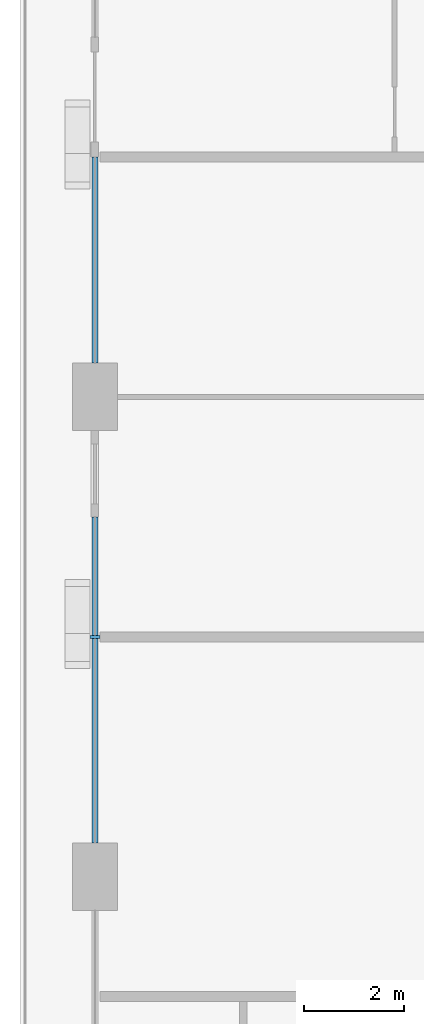
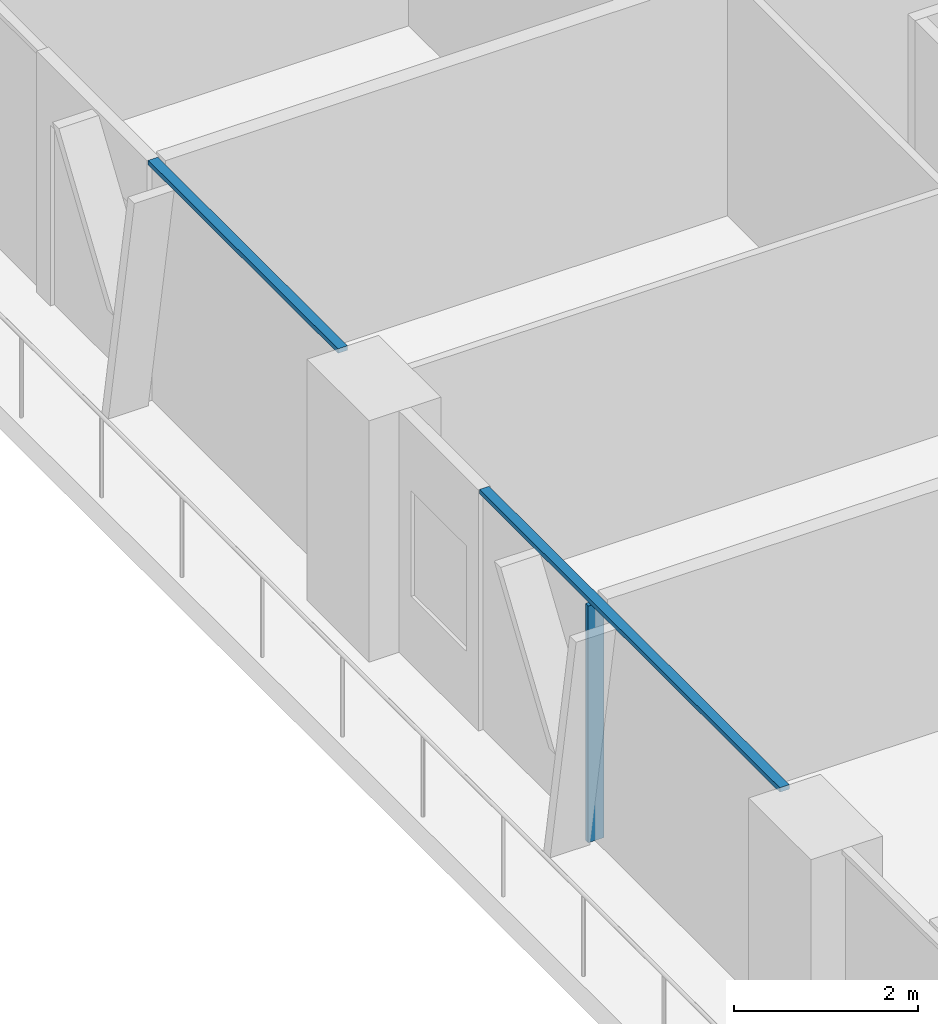
# One storey, part 3 of 21: 3 members, 2 elements without a shape of their own.
"""IFC4 building model written with IfcOpenShell, lengths in metres."""

from ifc_helpers import new_model, si_unit, direction, frame, origin, origin_2d, place, context, subcontext, project, spatial, rectangle, extrude, material, layer, layer_set, material_profile, profile_set, type_object, element, aggregate, save


model = new_model("IFC4")

# Units and contexts
model_context = context("Model", 3, precision=1e-05, world=origin(), true_north=direction((0.0, 1.0)))
body_context = subcontext(model_context, "Body", "Model", "MODEL_VIEW")
ifc_project = project(units=[si_unit("LENGTHUNIT", "METRE"), si_unit("AREAUNIT", "SQUARE_METRE"), si_unit("VOLUMEUNIT", "CUBIC_METRE"), si_unit("PLANEANGLEUNIT", "RADIAN"), si_unit("MASSUNIT", "GRAM", prefix="KILO")], contexts=[model_context])

# Site, building, storey
site_placement = place(None, origin())
site = spatial("IfcSite", under=ifc_project, at=site_placement, CompositionType="ELEMENT")
building_placement = place(site_placement, origin())
building = spatial("IfcBuilding", under=site, at=building_placement, Name="Madar Terraces", CompositionType="ELEMENT")
storey_placement = place(building_placement, frame((0.0, 0.0, 43.39990234375)))
storey = spatial("IfcBuildingStorey", under=building, at=storey_placement, Name="L10", CompositionType="ELEMENT", Elevation=43.39990234375)

# Curtain wall, member
ifc_material_1 = material(Name="Glass, ceramic frit dark grey, with black aluminium frame", Category="aluminium")
ifc_layer = layer(ifc_material_1, 0.199951171875)
ifc_layer_set = layer_set([ifc_layer], Name="Facade curtain wall, fritted glass")
curtain_wall_type = type_object("IfcCurtainWallType", Name="Facade curtain wall, fritted glass", PredefinedType="NOTDEFINED", material=ifc_layer_set)
curtain_wall_1_placement = place(storey_placement, origin())
curtain_wall_1 = element("IfcCurtainWall", 1, at=curtain_wall_1_placement, inside=storey, type_object=curtain_wall_type, Name="Outer skin curtain wall west bay 3", PredefinedType="NOTDEFINED")
ifc_material_2 = material(Name="Aluminium, black anodised", Category="aluminium")
ifc_material_profile_1 = material_profile(ifc_material_2, rectangle(XDim=0.199951171875, YDim=0.06005859375, at=origin_2d()), Name="Facade mullion 60x200")
ifc_profile_set_1 = profile_set([ifc_material_profile_1], Name="Aluminium, black anodised")
member_type_1 = type_object("IfcMemberType", Name="Facade mullion 60x200", PredefinedType="MULLION", material=ifc_profile_set_1)
member_1_placement = place(storey_placement, frame((0.0, 19.199951171875, 0.0), z_axis=(0.0, 0.0, 1.0), x_axis=(1.0, 0.0, 0.0)))
member_1 = element("IfcMember", 2, at=member_1_placement, type_object=member_type_1, Name="Mullion 1", PredefinedType="MULLION", context=body_context, shape_type="SweptSolid", body=[
    extrude(rectangle(XDim=0.199951171875, YDim=0.06005859375, at=origin_2d()), origin(), (0.0, 0.0, 1.0), 3.14013671875),
])

curtain_wall_2_placement = place(storey_placement, origin())
curtain_wall_2 = element("IfcCurtainWall", 3, at=curtain_wall_2_placement, inside=storey, type_object=curtain_wall_type, Name="Outer skin curtain wall west bay 2", PredefinedType="NOTDEFINED")
ifc_material_3 = material(Name="Aluminium, black anodised", Category="aluminium")
ifc_material_profile_2 = material_profile(ifc_material_3, rectangle(XDim=0.1201171875, YDim=0.06005859375, at=origin_2d()), Name="Facade transom 60x120")
ifc_profile_set_2 = profile_set([ifc_material_profile_2], Name="Aluminium, black anodised")
member_type_2 = type_object("IfcMemberType", Name="Facade transom 60x120", PredefinedType="USERDEFINED", material=ifc_profile_set_2)
member_2_placement = place(storey_placement, frame((0.0, 28.800048828125, 3.170166015625), z_axis=(0.0, -1.0, 0.0), x_axis=(1.0, 0.0, 0.0)))
member_2 = element("IfcMember", 4, at=member_2_placement, type_object=member_type_2, Name="Transom 2", ObjectType="TRANSOM", PredefinedType="USERDEFINED", context=body_context, shape_type="SweptSolid", body=[
    extrude(rectangle(XDim=0.1201171875, YDim=0.06005859375, at=origin_2d()), origin(), (0.0, 0.0, 1.0), 4.125),
])
aggregate(curtain_wall_2, [member_2])

# Member
member_3_placement = place(storey_placement, frame((0.0, 21.60009765625, 3.170166015625), z_axis=(0.0, -1.0, 0.0), x_axis=(1.0, 0.0, 0.0)))
member_3 = element("IfcMember", 5, at=member_3_placement, type_object=member_type_2, Name="Transom 1", ObjectType="TRANSOM", PredefinedType="USERDEFINED", context=body_context, shape_type="SweptSolid", body=[
    extrude(rectangle(XDim=0.1201171875, YDim=0.06005859375, at=origin_2d()), origin(), (0.0, 0.0, 1.0), 6.525146484375),
])

aggregate(curtain_wall_1, [member_1, member_3])

save(model, "model.ifc")
